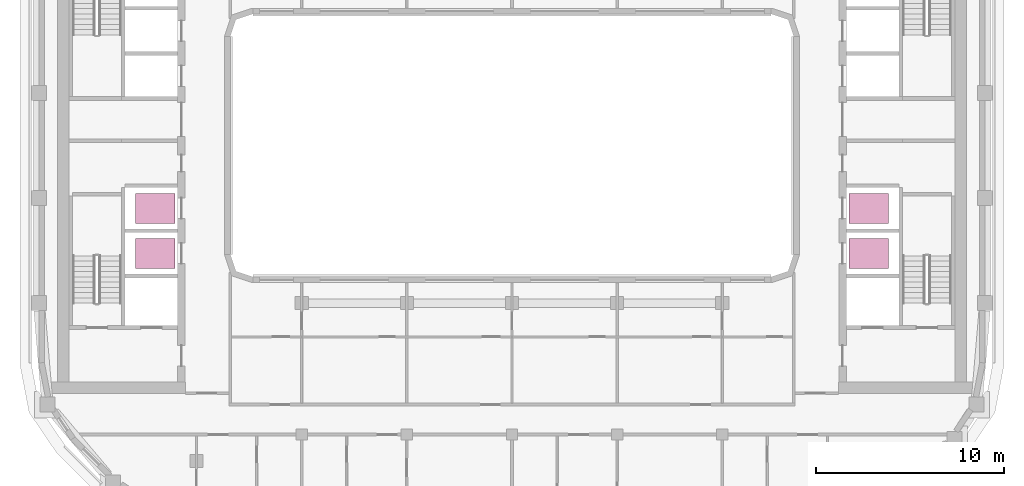
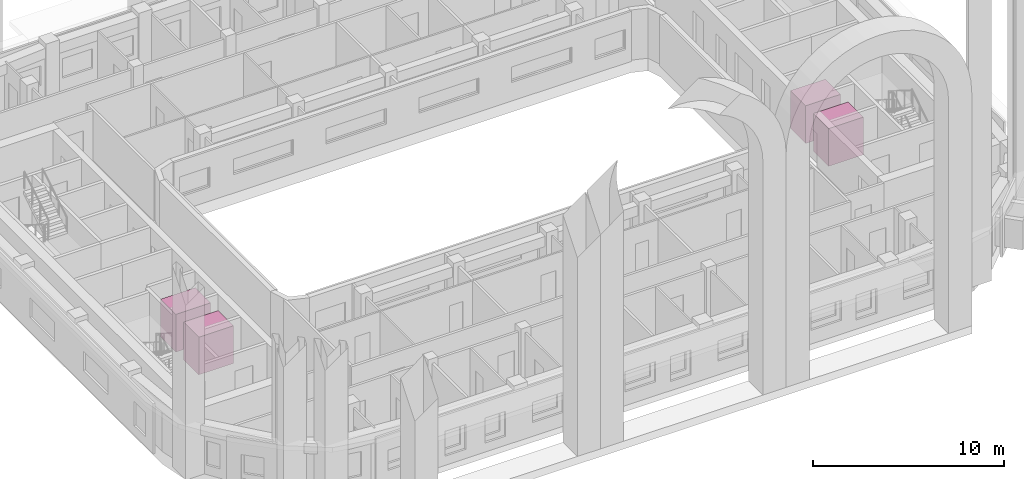
# One storey, part 19 of 19: 4 transport elements.
"""IFC4 building model written with IfcOpenShell, lengths in metres."""

from ifc_helpers import new_model, si_unit, direction, frame, origin, origin_2d, place, context, subcontext, project, spatial, rectangle, extrude, material, type_object, element, save


model = new_model("IFC4")

# Units and contexts
model_context = context("Model", 3, precision=1e-05, world=origin(), true_north=direction((0.0, 1.0)))
body_context = subcontext(model_context, "Body", "Model", "MODEL_VIEW")
ifc_project = project(units=[si_unit("LENGTHUNIT", "METRE"), si_unit("AREAUNIT", "SQUARE_METRE"), si_unit("VOLUMEUNIT", "CUBIC_METRE"), si_unit("PLANEANGLEUNIT", "RADIAN"), si_unit("MASSUNIT", "GRAM", prefix="KILO")], contexts=[model_context])

# Site, building, storey
site_placement = place(None, origin())
site = spatial("IfcSite", under=ifc_project, at=site_placement, CompositionType="ELEMENT")
building_placement = place(site_placement, origin())
building = spatial("IfcBuilding", under=site, at=building_placement, Name="Kiln Ring Residences", CompositionType="ELEMENT")
storey_placement = place(building_placement, frame((0.0, 0.0, 241.699951171875)))
storey = spatial("IfcBuildingStorey", under=building, at=storey_placement, Name="L62", CompositionType="ELEMENT", Elevation=241.699951171875)

# Transport elements
ifc_material = material(Name="Brushed stainless steel", Category="steel")
transport_element_type = type_object("IfcTransportElementType", Name="CORE-LIFT-HIGH", PredefinedType="ELEVATOR", material=ifc_material)
for number, where, z_axis, x_axis, name in (
    (1, (-19.0, -5.75, 0.0), (0.0, 0.0, 1.0), (1.0, 0.0, 0.0), "Lift W-H1"),
    (2, (-19.0, -3.35009765625, 0.0), (0.0, 0.0, 1.0), (1.0, 0.0, 0.0), "Lift W-H2"),
    (3, (19.0, -5.75, 0.0), (0.0, 0.0, 1.0), (1.0, 0.0, 0.0), "Lift E-H1"),
    (4, (19.0, -3.35009765625, 0.0), (0.0, 0.0, 1.0), (1.0, 0.0, 0.0), "Lift E-H2"),
):
    element("IfcTransportElement", number, at=place(storey_placement, frame(where, z_axis=z_axis, x_axis=x_axis)), inside=storey, type_object=transport_element_type, Name=name, PredefinedType="ELEVATOR", context=body_context, shape_type="SweptSolid", body=[
        extrude(rectangle(XDim=2.10009765625, YDim=1.60009765625, at=origin_2d()), origin(), (0.0, 0.0, 1.0), 2.39990234375),
    ])

save(model, "model.ifc")
